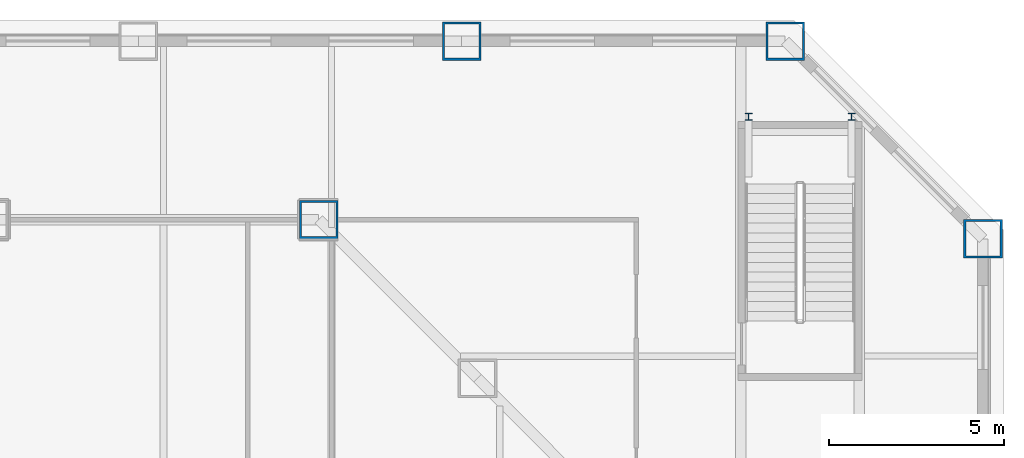
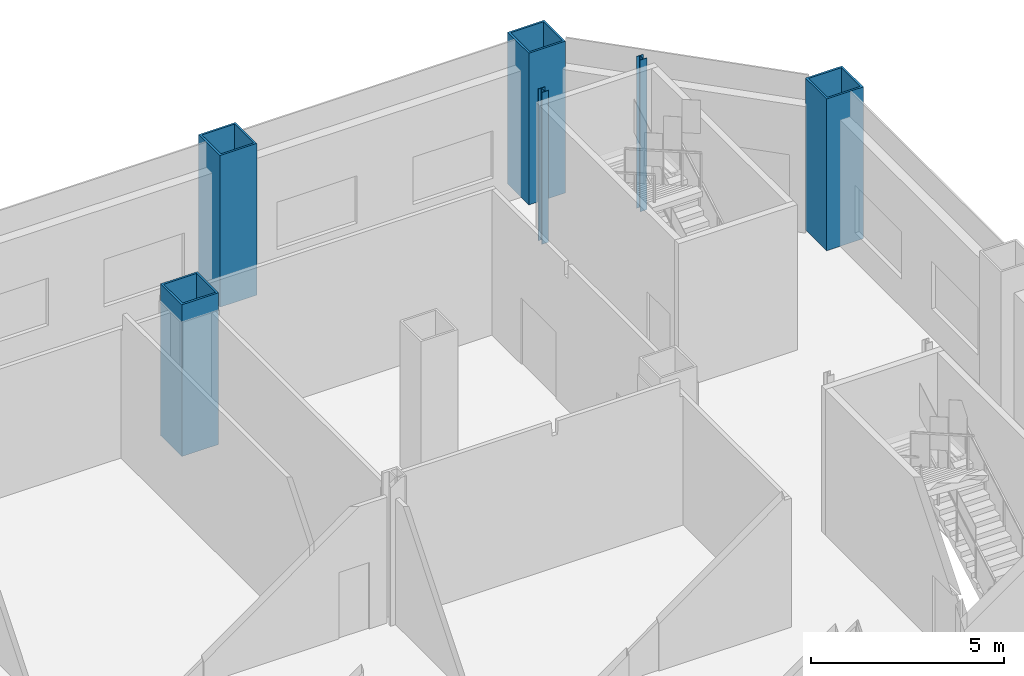
# One storey, part 7 of 26: 6 columns.
"""IFC4 building model written with IfcOpenShell, lengths in metres."""

from ifc_helpers import new_model, si_unit, direction, frame, origin, origin_2d, place, context, subcontext, project, spatial, hollow_rectangle, i_section, extrude, material, material_profile, profile_set, type_object, element, save


model = new_model("IFC4")

# Units and contexts
model_context = context("Model", 3, precision=1e-05, world=origin(), true_north=direction((0.0, 1.0)))
body_context = subcontext(model_context, "Body", "Model", "MODEL_VIEW")
ifc_project = project(units=[si_unit("LENGTHUNIT", "METRE"), si_unit("AREAUNIT", "SQUARE_METRE"), si_unit("VOLUMEUNIT", "CUBIC_METRE"), si_unit("PLANEANGLEUNIT", "RADIAN"), si_unit("MASSUNIT", "GRAM", prefix="KILO")], contexts=[model_context])

# Site, building, storey
site_placement = place(None, origin())
site = spatial("IfcSite", under=ifc_project, at=site_placement, CompositionType="ELEMENT")
building_placement = place(site_placement, origin())
building = spatial("IfcBuilding", under=site, at=building_placement, Name="Cairn Pilgrim Tower", CompositionType="ELEMENT")
storey_placement = place(building_placement, frame((0.0, 0.0, 21.0)))
storey = spatial("IfcBuildingStorey", under=building, at=storey_placement, Name="L03", CompositionType="ELEMENT", Elevation=21.0)

# Columns
ifc_material_1 = material(Name="Structural steel S460M", Category="steel")
ifc_material_profile_1 = material_profile(ifc_material_1, hollow_rectangle(XDim=1.10009765625, YDim=1.10009765625, WallThickness=0.06005859375, at=origin_2d()), Name="BOX 1100x1100x60")
ifc_profile_set_1 = profile_set([ifc_material_profile_1], Name="Structural steel S460M")
column_type_1 = type_object("IfcColumnType", Name="BOX 1100x1100x60", PredefinedType="COLUMN", material=ifc_profile_set_1)
column_placement = place(storey_placement, frame((18.8271484375, 23.10009765625, -0.199951171875), z_axis=(0.0, 0.0, 1.0), x_axis=(1.0, 0.0, 0.0)))
element("IfcColumn", 1, at=column_placement, inside=storey, type_object=column_type_1, Name="PC1-N1", PredefinedType="COLUMN", context=body_context, shape_type="SweptSolid", body=[
    extrude(hollow_rectangle(XDim=1.10009765625, YDim=1.10009765625, WallThickness=0.06005859375, at=origin_2d()), origin(), (0.0, 0.0, 1.0), 4.800048828125),
])
ifc_material_profile_2 = material_profile(ifc_material_1, hollow_rectangle(XDim=1.10009765625, YDim=1.10009765625, WallThickness=0.06005859375, at=origin_2d()), Name="BOX 1100x1100x60")
ifc_profile_set_2 = profile_set([ifc_material_profile_2], Name="Structural steel S460M")
column_type_2 = type_object("IfcColumnType", Name="PILOTIS CFT 1100", PredefinedType="COLUMN", material=ifc_profile_set_2)
for number, where, z_axis, x_axis, name in (
    (2, (37.800048828125, 22.551513671875, 0.0), (0.0, 0.0, 1.0), (1.0, 0.0, 0.0), "PILOTIS PL-NE1"),
    (3, (32.151611328125, 28.199951171875, 0.0), (0.0, 0.0, 1.0), (1.0, 0.0, 0.0), "PILOTIS PL-N1"),
    (4, (22.91357421875, 28.199951171875, 0.0), (0.0, 0.0, 1.0), (1.0, 0.0, 0.0), "PILOTIS PL-N2"),
):
    element("IfcColumn", number, at=place(storey_placement, frame(where, z_axis=z_axis, x_axis=x_axis)), inside=storey, type_object=column_type_2, Name=name, PredefinedType="COLUMN", context=body_context, shape_type="SweptSolid", body=[
        extrude(hollow_rectangle(XDim=1.10009765625, YDim=1.10009765625, WallThickness=0.06005859375, at=origin_2d()), origin(), (0.0, 0.0, 1.0), 4.800048828125),
    ])
ifc_material_2 = material(Name="Structural steel S355J2", Category="steel")
ifc_material_profile_3 = material_profile(ifc_material_2, i_section(OverallWidth=0.199951171875, OverallDepth=0.199951171875, WebThickness=0.009033203125, FlangeThickness=0.014892578125, FilletRadius=0.01806640625, at=origin_2d()), Name="HE 200 B")
ifc_profile_set_3 = profile_set([ifc_material_profile_3], Name="Structural steel S355J2")
column_type_3 = type_object("IfcColumnType", Name="STAIR POST HE 200 B", PredefinedType="COLUMN", material=ifc_profile_set_3)
for number, where, z_axis, x_axis, name in (
    (5, (31.10498046875, 26.0400390625, 0.0), (0.0, 0.0, 1.0), (1.0, 0.0, 0.0), "STAIR POST LP-ES4-NA"),
    (6, (34.044921875, 26.0400390625, 0.0), (0.0, 0.0, 1.0), (1.0, 0.0, 0.0), "STAIR POST LP-ES4-NB"),
):
    element("IfcColumn", number, at=place(storey_placement, frame(where, z_axis=z_axis, x_axis=x_axis)), inside=storey, type_object=column_type_3, Name=name, PredefinedType="COLUMN", context=body_context, shape_type="SweptSolid", body=[
        extrude(i_section(OverallWidth=0.199951171875, OverallDepth=0.199951171875, WebThickness=0.009033203125, FlangeThickness=0.014892578125, FilletRadius=0.01806640625, at=origin_2d()), origin(), (0.0, 0.0, 1.0), 4.800048828125),
    ])

save(model, "model.ifc")
